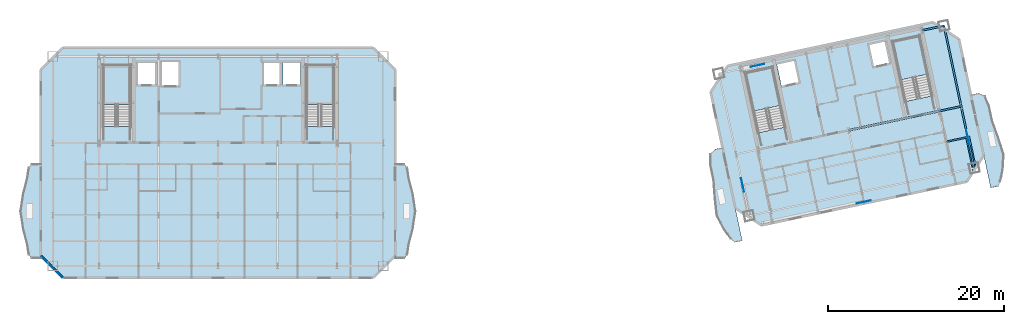
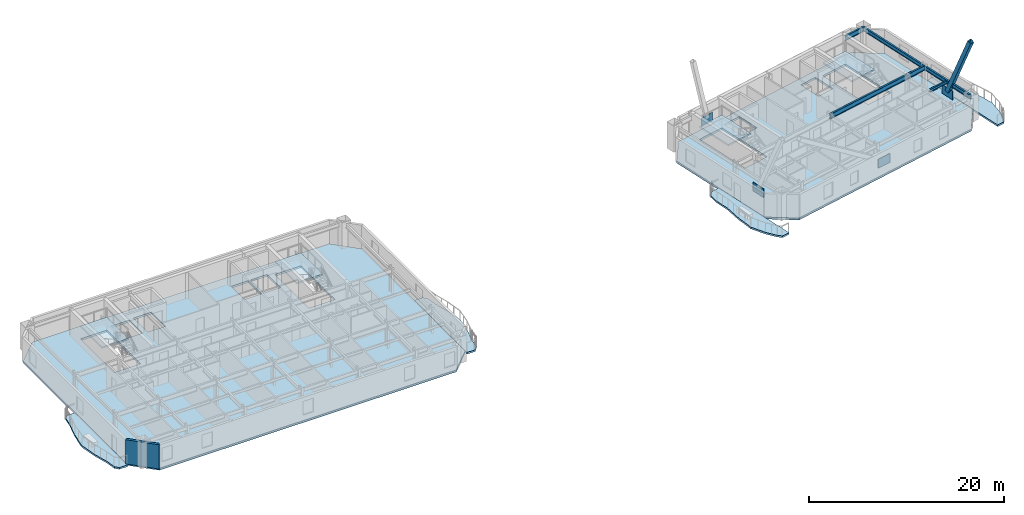
# One storey, part 4 of 13: 10 slabs, 6 beams, 4 plates, 1 member, 1 wall, 4 elements without a shape of their own.
"""IFC4 building model written with IfcOpenShell, lengths in metres."""

from ifc_helpers import new_model, si_unit, direction, frame, frame_2d, origin, origin_2d, place, context, subcontext, project, spatial, polyline, rectangle, hollow_rectangle, i_section, outline, extrude, material, layer, layer_set, material_profile, profile_set, type_object, element, aggregate, save


model = new_model("IFC4")

# Units and contexts
model_context = context("Model", 3, precision=1e-05, world=origin(), true_north=direction((0.0, 1.0)))
body_context = subcontext(model_context, "Body", "Model", "MODEL_VIEW")
ifc_project = project(units=[si_unit("LENGTHUNIT", "METRE"), si_unit("AREAUNIT", "SQUARE_METRE"), si_unit("VOLUMEUNIT", "CUBIC_METRE"), si_unit("PLANEANGLEUNIT", "RADIAN"), si_unit("MASSUNIT", "GRAM", prefix="KILO")], contexts=[model_context])

# Site, building, storey
site_placement = place(None, origin())
site = spatial("IfcSite", under=ifc_project, at=site_placement, CompositionType="ELEMENT")
building_placement = place(site_placement, origin())
building = spatial("IfcBuilding", under=site, at=building_placement, Name="Haevon Station Towers", CompositionType="ELEMENT")
storey_placement = place(building_placement, frame((0.0, 0.0, 225.300048828125)))
storey = spatial("IfcBuildingStorey", under=building, at=storey_placement, Name="L62", CompositionType="ELEMENT", Elevation=225.300048828125)

# Beams
ifc_material_1 = material(Name="Steel S355", Category="steel")
ifc_material_profile_1 = material_profile(ifc_material_1, i_section(OverallWidth=0.199951171875, OverallDepth=0.60009765625, WebThickness=0.010986328125, FlangeThickness=0.01708984375, at=origin_2d()), Name="H-600x200x11x17")
ifc_profile_set_1 = profile_set([ifc_material_profile_1], Name="Steel S355")
beam_type_1 = type_object("IfcBeamType", Name="BM-G600", PredefinedType="BEAM", material=ifc_profile_set_1)
beam_1_placement = place(storey_placement, frame((109.02294921875, 39.62548828125, 2.75), z_axis=(0.978146794194, 0.207915485254, 0.0), x_axis=(-0.207915485254, 0.978146794194, 0.0)))
element("IfcBeam", 1, at=beam_1_placement, inside=storey, type_object=beam_type_1, Name="BM-T2U-L62-02-03", PredefinedType="BEAM", context=body_context, shape_type="SweptSolid", body=[
    extrude(i_section(OverallWidth=0.199951171875, OverallDepth=0.60009765625, WebThickness=0.010986328125, FlangeThickness=0.01708984375, at=origin_2d()), origin(), (0.0, 0.0, 1.0), 10.5),
])
for number, where, z_axis, x_axis, name in (
    (2, (119.29345703125, 41.80859375, 2.75), (0.978161040728, 0.207848450565, 0.0), (-0.207848450565, 0.978161040728, 0.0), "BM-T2U-L62-02-04"),
    (3, (117.349365234375, 50.954345703125, 2.75), (0.978161040728, 0.207848450565, 0.0), (-0.207848450565, 0.978161040728, 0.0), "BM-T2U-L62-03-04"),
):
    element("IfcBeam", number, at=place(storey_placement, frame(where, z_axis=z_axis, x_axis=x_axis)), inside=storey, type_object=beam_type_1, Name=name, PredefinedType="BEAM", context=body_context, shape_type="SweptSolid", body=[
        extrude(i_section(OverallWidth=0.199951171875, OverallDepth=0.60009765625, WebThickness=0.010986328125, FlangeThickness=0.01708984375, at=origin_2d()), origin(), (0.0, 0.0, 1.0), 2.550048828125),
    ])
ifc_material_profile_2 = material_profile(ifc_material_1, i_section(OverallWidth=0.175048828125, OverallDepth=0.35009765625, WebThickness=0.007080078125, FlangeThickness=0.010986328125, at=origin_2d()), Name="H-350x175x7x11")
ifc_profile_set_2 = profile_set([ifc_material_profile_2], Name="Steel S355")
beam_type_2 = type_object("IfcBeamType", Name="BM-J350", PredefinedType="JOIST", material=ifc_profile_set_2)
beam_2_placement = place(storey_placement, frame((120.143310546875, 38.33935546875, 2.875), z_axis=(0.978130880619, 0.207990337228, 0.0), x_axis=(-0.207990337228, 0.978130880619, 0.0)))
element("IfcBeam", 4, at=beam_2_placement, inside=storey, type_object=beam_type_2, Name="BM-T2J-L62-01-04", PredefinedType="JOIST", context=body_context, shape_type="SweptSolid", body=[
    extrude(i_section(OverallWidth=0.175048828125, OverallDepth=0.35009765625, WebThickness=0.007080078125, FlangeThickness=0.010986328125, at=origin_2d()), origin(), (0.0, 0.0, 1.0), 2.330078125),
])
ifc_material_profile_3 = material_profile(ifc_material_1, i_section(OverallWidth=0.199951171875, OverallDepth=0.5, WebThickness=0.010009765625, FlangeThickness=0.01611328125, at=origin_2d()), Name="H-500x200x10x16")
ifc_profile_set_3 = profile_set([ifc_material_profile_3], Name="Steel S355")
beam_type_3 = type_object("IfcBeamType", Name="BM-SP500", PredefinedType="SPANDREL", material=ifc_profile_set_3)
beam_3_placement = place(storey_placement, frame((123.272216796875, 35.354736328125, 2.800048828125), z_axis=(-0.207898833396, 0.978150333575, 0.0), x_axis=(-0.978150333575, -0.207898833396, 0.0)))
element("IfcBeam", 5, at=beam_3_placement, inside=storey, type_object=beam_type_3, Name="BM-T2V-L62-05-01", PredefinedType="SPANDREL", context=body_context, shape_type="SweptSolid", body=[
    extrude(i_section(OverallWidth=0.199951171875, OverallDepth=0.5, WebThickness=0.010009765625, FlangeThickness=0.01611328125, at=origin_2d()), origin(), (0.0, 0.0, 1.0), 7.139892578125),
])
beam_4_placement = place(storey_placement, frame((121.787841796875, 42.338623046875, 2.800048828125), z_axis=(-0.207922149488, 0.978145377616, 0.0), x_axis=(-0.978145377616, -0.207922149488, 0.0)))
element("IfcBeam", 6, at=beam_4_placement, inside=storey, type_object=beam_type_3, Name="BM-T2V-L62-05-02", PredefinedType="SPANDREL", context=body_context, shape_type="SweptSolid", body=[
    extrude(i_section(OverallWidth=0.199951171875, OverallDepth=0.5, WebThickness=0.010009765625, FlangeThickness=0.01611328125, at=origin_2d()), origin(), (0.0, 0.0, 1.0), 9.35009765625),
])

# Member
ifc_material_2 = material(Name="Steel S460", Category="steel")
ifc_material_profile_4 = material_profile(ifc_material_2, hollow_rectangle(XDim=0.47998046875, YDim=0.47998046875, WallThickness=0.02490234375, at=origin_2d()), Name="RHS-480x480x25")
ifc_profile_set_4 = profile_set([ifc_material_profile_4], Name="Steel S460")
member_type = type_object("IfcMemberType", Name="MB-480", PredefinedType="BRACE", material=ifc_profile_set_4)
member_placement = place(storey_placement, frame((122.55078125, 38.748779296875, 1.74609375), z_axis=(0.082698577748, -0.389061126177, 0.917492444294), x_axis=(0.978147047262, 0.207914294681, 0.0)))
element("IfcMember", 7, at=member_placement, inside=storey, type_object=member_type, Name="BR-T2MB-T09-E-D2B", PredefinedType="BRACE", context=body_context, shape_type="SweptSolid", body=[
    extrude(hollow_rectangle(XDim=0.47998046875, YDim=0.47998046875, WallThickness=0.02490234375, at=origin_2d()), origin(), (0.0, 0.0, 1.0), 8.7236328125),
])

# Plates
ifc_material_3 = material(Name="PL-GUS1", Category="steel")
ifc_layer_1 = layer(ifc_material_3, 0.035888671875)
ifc_layer_set_1 = layer_set([ifc_layer_1], Name="PL-GUS1")
plate_type = type_object("IfcPlateType", Name="PL-GUS1", PredefinedType="USERDEFINED", material=ifc_layer_set_1)
for number, where, z_axis, x_axis, name in (
    (8, (110.750732421875, 31.4970703125, 0.96484375), (0.0, 0.0, 1.0), (0.978147600734, 0.207911690818, 0.0), "PL-T2GUS-T09-S"),
    (9, (98.69140625, 46.98828125, 0.96484375), (0.0, 0.0, 1.0), (0.978147600734, 0.207911690818, 0.0), "PL-T2GUS-T09-N"),
    (10, (97.000244140625, 33.420166015625, 0.96484375), (0.0, 0.0, 1.0), (-0.207911690818, 0.978147600734, 0.0), "PL-T2GUS-T09-W"),
    (11, (122.530029296875, 38.8466796875, 0.96484375), (0.0, 0.0, 1.0), (-0.207911690818, 0.978147600734, 0.0), "PL-T2GUS-T09-E"),
):
    element("IfcPlate", number, at=place(storey_placement, frame(where, z_axis=z_axis, x_axis=x_axis)), inside=storey, type_object=plate_type, Name=name, ObjectType="GUSSET_PLATE", PredefinedType="USERDEFINED", context=body_context, shape_type="SweptSolid", body=[
        extrude(rectangle(XDim=1.60009765625, YDim=0.035888671875, at=origin_2d()), origin(), (0.0, 0.0, 1.0), 1.10009765625),
    ])

# Slabs
ifc_material_4 = material(Name="Concrete C40/50", Category="concrete")
ifc_layer_2 = layer(ifc_material_4, 0.219970703125)
ifc_layer_set_2 = layer_set([ifc_layer_2], Name="Concrete C40/50")
slab_type_1 = type_object("IfcSlabType", Name="SL-BALC220", PredefinedType="FLOOR", material=ifc_layer_set_2)
slab_1_placement = place(storey_placement, frame((0.0, 0.0, -0.219970703125)))
element("IfcSlab", 12, at=slab_1_placement, inside=storey, type_object=slab_type_1, Name="Tower 1 L62 West SCALLOPED BALCONY", PredefinedType="FLOOR", context=body_context, shape_type="SweptSolid", body=[
    extrude(outline(polyline([(17.39501953125, 35.85009765625), (16.406494140625, 35.85009765625), (16.046875, 35.43896484375), (15.8623046875, 34.268310546875), (15.3876953125, 32.5166015625), (15.041259765625, 30.449951171875), (15.3876953125, 28.383544921875), (15.8623046875, 26.631591796875), (16.046875, 25.4609375), (16.406494140625, 25.050048828125), (17.39501953125, 25.050048828125), (17.39501953125, 35.85009765625)])), origin(), (0.0, 0.0, 1.0), 0.219970703125),
])
slab_2_placement = place(storey_placement, frame((0.0, 0.0, -0.219970703125)))
element("IfcSlab", 13, at=slab_2_placement, inside=storey, type_object=slab_type_1, Name="Tower 1 L62 East SCALLOPED BALCONY", PredefinedType="FLOOR", context=body_context, shape_type="SweptSolid", body=[
    extrude(outline(polyline([(57.60498046875, 25.050048828125), (58.593505859375, 25.050048828125), (58.953125, 25.4609375), (59.1376953125, 26.631591796875), (59.6123046875, 28.383544921875), (59.958740234375, 30.449951171875), (59.6123046875, 32.5166015625), (59.1376953125, 34.268310546875), (58.953125, 35.43896484375), (58.593505859375, 35.85009765625), (57.60498046875, 35.85009765625), (57.60498046875, 25.050048828125)])), origin(), (0.0, 0.0, 1.0), 0.219970703125),
])
slab_3_placement = place(storey_placement, frame((0.0, 0.0, -0.219970703125)))
element("IfcSlab", 14, at=slab_3_placement, inside=storey, type_object=slab_type_1, Name="Tower 2 L62 West SCALLOPED BALCONY", PredefinedType="FLOOR", context=body_context, shape_type="SweptSolid", body=[
    extrude(outline(polyline([(94.71337890625, 37.662353515625), (93.8505859375, 37.47900390625), (93.32080078125, 36.9462890625), (93.3369140625, 35.7529296875), (93.68017578125, 34.034912109375), (93.781982421875, 31.94384765625), (94.06494140625, 29.891357421875), (94.9248046875, 28.283203125), (95.714111328125, 27.254150390625), (96.095947265625, 26.9150390625), (96.958740234375, 27.098388671875), (94.71337890625, 37.662353515625)])), origin(), (0.0, 0.0, 1.0), 0.219970703125),
])
slab_4_placement = place(storey_placement, frame((0.0, 0.0, -0.219970703125)))
element("IfcSlab", 15, at=slab_4_placement, inside=storey, type_object=slab_type_1, Name="Tower 2 L62 East SCALLOPED BALCONY", PredefinedType="FLOOR", context=body_context, shape_type="SweptSolid", body=[
    extrude(outline(polyline([(125.13916015625, 33.08837890625), (126.001953125, 33.271728515625), (126.213134765625, 33.73681640625), (126.515625, 34.997802734375), (126.646728515625, 36.81689453125), (126.070556640625, 38.80712890625), (125.31298828125, 40.758544921875), (124.927734375, 42.4677734375), (124.457275390625, 43.564453125), (123.756591796875, 43.835693359375), (122.893798828125, 43.65234375), (125.13916015625, 33.08837890625)])), origin(), (0.0, 0.0, 1.0), 0.219970703125),
])

# Stair, slab
stair_type = type_object("IfcStairType", Name="STR-DL1450", PredefinedType="USERDEFINED", material=ifc_material_4)
stair_1_placement = place(storey_placement, origin())
stair_1 = element("IfcStair", 16, at=stair_1_placement, inside=storey, type_object=stair_type, Name="L62 Escape Stair ST1", ObjectType="TWO_RETURN_STAIR", PredefinedType="USERDEFINED")
ifc_layer_3 = layer(ifc_material_4, 0.199951171875)
ifc_layer_set_3 = layer_set([ifc_layer_3], Name="Concrete C40/50")
slab_type_2 = type_object("IfcSlabType", Name="SL-LND200", PredefinedType="LANDING", material=ifc_layer_set_3)
slab_5_placement = place(storey_placement, frame((0.0, 0.0, 1.449951171875)))
slab_5 = element("IfcSlab", 17, at=slab_5_placement, type_object=slab_type_2, Name="L62 ST1 Half Landing 1", PredefinedType="LANDING", context=body_context, shape_type="SweptSolid", body=[
    extrude(outline(polyline([(27.580078125, 42.56396484375), (27.580078125, 47.0), (24.47998046875, 47.0), (24.47998046875, 42.56396484375), (27.580078125, 42.56396484375)])), origin(), (0.0, 0.0, 1.0), 0.199951171875),
])
aggregate(stair_1, [slab_5])

stair_2_placement = place(storey_placement, origin())
stair_2 = element("IfcStair", 18, at=stair_2_placement, inside=storey, type_object=stair_type, Name="L62 Escape Stair ST2", ObjectType="TWO_RETURN_STAIR", PredefinedType="USERDEFINED")
slab_6_placement = place(storey_placement, frame((0.0, 0.0, 1.449951171875)))
slab_6 = element("IfcSlab", 19, at=slab_6_placement, type_object=slab_type_2, Name="L62 ST2 Half Landing 1", PredefinedType="LANDING", context=body_context, shape_type="SweptSolid", body=[
    extrude(outline(polyline([(50.6201171875, 42.56396484375), (50.6201171875, 47.0), (47.52001953125, 47.0), (47.52001953125, 42.56396484375), (50.6201171875, 42.56396484375)])), origin(), (0.0, 0.0, 1.0), 0.199951171875),
])
aggregate(stair_2, [slab_6])

stair_3_placement = place(storey_placement, origin())
stair_3 = element("IfcStair", 20, at=stair_3_placement, inside=storey, type_object=stair_type, Name="L62 Escape Stair ST3", ObjectType="TWO_RETURN_STAIR", PredefinedType="USERDEFINED")
slab_7_placement = place(storey_placement, frame((0.0, 0.0, 1.449951171875)))
slab_7 = element("IfcSlab", 21, at=slab_7_placement, type_object=slab_type_2, Name="L62 ST3 Half Landing 1", PredefinedType="LANDING", context=body_context, shape_type="SweptSolid", body=[
    extrude(outline(polyline([(101.2880859375, 42.44287109375), (100.36572265625, 46.781982421875), (97.33349609375, 46.137451171875), (98.255859375, 41.79833984375), (101.2880859375, 42.44287109375)])), origin(), (0.0, 0.0, 1.0), 0.199951171875),
])
aggregate(stair_3, [slab_7])

stair_4_placement = place(storey_placement, origin())
stair_4 = element("IfcStair", 22, at=stair_4_placement, inside=storey, type_object=stair_type, Name="L62 Escape Stair ST4", ObjectType="TWO_RETURN_STAIR", PredefinedType="USERDEFINED")
slab_8_placement = place(storey_placement, frame((0.0, 0.0, 1.449951171875)))
slab_8 = element("IfcSlab", 23, at=slab_8_placement, type_object=slab_type_2, Name="L62 ST4 Half Landing 1", PredefinedType="LANDING", context=body_context, shape_type="SweptSolid", body=[
    extrude(outline(polyline([(117.975341796875, 45.989990234375), (117.052978515625, 50.328857421875), (114.020751953125, 49.684326171875), (114.943115234375, 45.345458984375), (117.975341796875, 45.989990234375)])), origin(), (0.0, 0.0, 1.0), 0.199951171875),
])
aggregate(stair_4, [slab_8])

# Slabs
ifc_layer_4 = layer(ifc_material_4, 0.25)
ifc_layer_set_4 = layer_set([ifc_layer_4], Name="Concrete C40/50")
slab_type_3 = type_object("IfcSlabType", Name="SL-TW250", PredefinedType="FLOOR", material=ifc_layer_set_4)
slab_9_placement = place(storey_placement, frame((0.0, 0.0, -0.25)))
element("IfcSlab", 24, at=slab_9_placement, inside=storey, type_object=slab_type_3, Name="SL-T1-L62", PredefinedType="FLOOR", context=body_context, shape_type="SweptSolid", body=[
    extrude(outline(polyline([(19.89990234375, 22.89990234375), (55.10009765625, 22.89990234375), (57.60009765625, 25.39990234375), (57.60009765625, 46.5), (55.10009765625, 49.0), (19.89990234375, 49.0), (17.39990234375, 46.5), (17.39990234375, 25.39990234375), (19.89990234375, 22.89990234375)]), holes=[polyline([(27.580078125, 40.055908203125), (27.580078125, 47.0), (24.47998046875, 47.0), (24.47998046875, 40.055908203125), (27.580078125, 40.055908203125)]), polyline([(50.6201171875, 40.055908203125), (50.6201171875, 47.0), (47.52001953125, 47.0), (47.52001953125, 40.055908203125), (50.6201171875, 40.055908203125)]), polyline([(28.300048828125, 44.699951171875), (30.5, 44.699951171875), (30.5, 47.39990234375), (28.300048828125, 47.39990234375), (28.300048828125, 44.699951171875)]), polyline([(31.050048828125, 44.60009765625), (33.14990234375, 44.60009765625), (33.14990234375, 47.5), (31.050048828125, 47.5), (31.050048828125, 44.60009765625)]), polyline([(42.60009765625, 44.699951171875), (44.60009765625, 44.699951171875), (44.60009765625, 47.39990234375), (42.60009765625, 47.39990234375), (42.60009765625, 44.699951171875)]), polyline([(44.85009765625, 44.699951171875), (46.85009765625, 44.699951171875), (46.85009765625, 47.39990234375), (44.85009765625, 47.39990234375), (44.85009765625, 44.699951171875)])]), origin(), (0.0, 0.0, 1.0), 0.25),
])
slab_10_placement = place(storey_placement, frame((0.0, 0.0, -0.25)))
element("IfcSlab", 25, at=slab_10_placement, inside=storey, type_object=slab_type_3, Name="SL-T2-L62", PredefinedType="FLOOR", context=body_context, shape_type="SweptSolid", body=[
    extrude(outline(polyline([(99.148193359375, 28.846923828125), (122.427978515625, 33.795166015625), (124.353515625, 36.76025390625), (121.548828125, 49.95556640625), (118.583740234375, 51.881103515625), (95.3037109375, 46.932861328125), (93.378173828125, 43.9677734375), (96.182861328125, 30.7724609375), (99.148193359375, 28.846923828125)]), holes=[polyline([(101.8095703125, 39.98974609375), (100.36572265625, 46.781982421875), (97.33349609375, 46.137451171875), (98.77734375, 39.34521484375), (101.8095703125, 39.98974609375)]), polyline([(118.496826171875, 43.53662109375), (117.052978515625, 50.328857421875), (114.020751953125, 49.684326171875), (115.464599609375, 42.89208984375), (118.496826171875, 43.53662109375)]), polyline([(101.43212890625, 44.554931640625), (103.486328125, 44.99169921875), (102.9248046875, 47.632568359375), (100.870849609375, 47.196044921875), (101.43212890625, 44.554931640625)]), polyline([(111.800537109375, 46.7587890625), (113.7568359375, 47.174560546875), (113.1953125, 49.815673828125), (111.239013671875, 49.39990234375), (111.800537109375, 46.7587890625)])]), origin(), (0.0, 0.0, 1.0), 0.25),
])

# Wall
ifc_material_5 = material(Name="Precast concrete C45/55", Category="concrete")
ifc_layer_5 = layer(ifc_material_5, 0.280029296875)
ifc_layer_set_5 = layer_set([ifc_layer_5], Name="Precast concrete C45/55")
wall_type = type_object("IfcWallType", Name="WL-EXT-PIER280", PredefinedType="SOLIDWALL", material=ifc_layer_set_5)
wall_placement = place(storey_placement, frame((19.89990234375, 22.89990234375, 0.0), z_axis=(0.0, 0.0, 1.0), x_axis=(-0.707106781187, 0.707106781187, 0.0)))
element("IfcWall", 26, at=wall_placement, inside=storey, type_object=wall_type, Name="WL-T1-L62-SWC", PredefinedType="SOLIDWALL", context=body_context, shape_type="SweptSolid", body=[
    extrude(rectangle(XDim=3.53564453125, YDim=0.280029296875, at=frame_2d((1.767822265625, 0.0))), origin(), (0.0, 0.0, 1.0), 3.030029296875),
])

save(model, "model.ifc")
